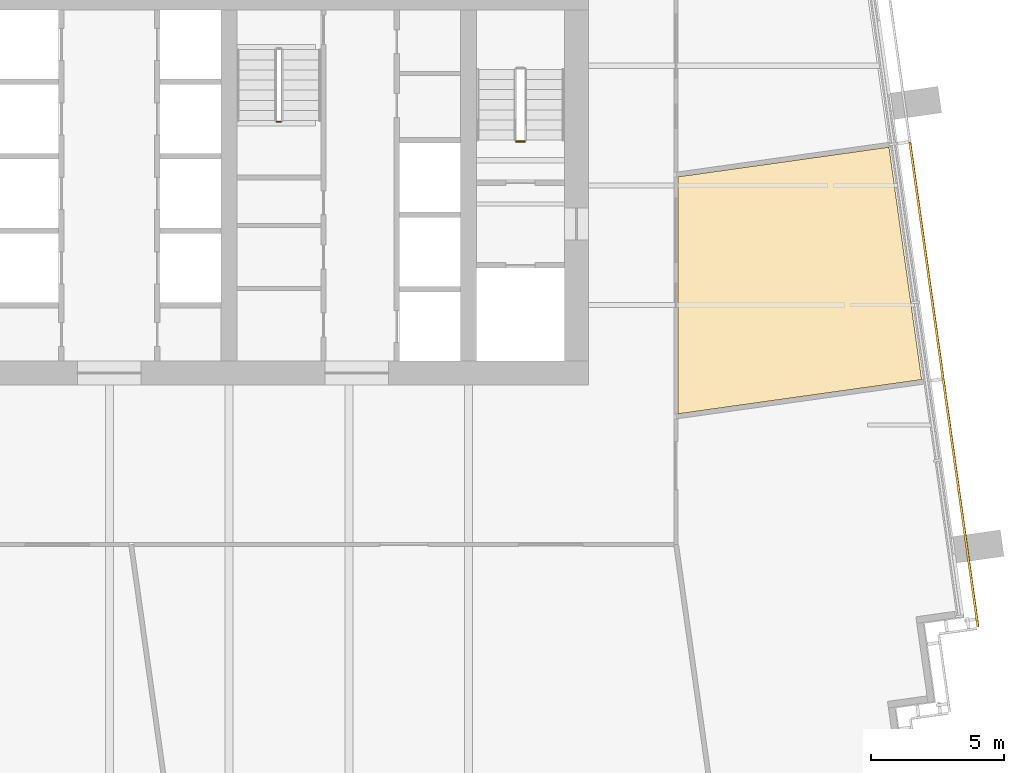
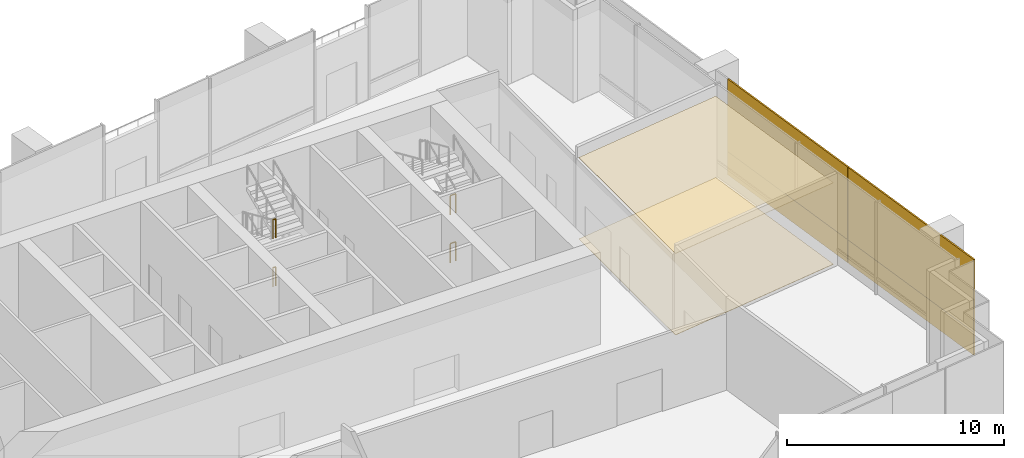
# One storey, part 13 of 18: 6 coverings, 4 railings.
"""IFC4 building model written with IfcOpenShell, lengths in metres."""

from ifc_helpers import new_model, si_unit, direction, frame, origin, origin_2d, place, context, subcontext, project, spatial, polyline, rectangle, outline, extrude, material, layer, layer_set, type_object, element, save


model = new_model("IFC4")

# Units and contexts
model_context = context("Model", 3, precision=1e-05, world=origin(), true_north=direction((0.0, 1.0)))
body_context = subcontext(model_context, "Body", "Model", "MODEL_VIEW")
ifc_project = project(units=[si_unit("LENGTHUNIT", "METRE"), si_unit("AREAUNIT", "SQUARE_METRE"), si_unit("VOLUMEUNIT", "CUBIC_METRE"), si_unit("PLANEANGLEUNIT", "RADIAN"), si_unit("MASSUNIT", "GRAM", prefix="KILO")], contexts=[model_context])

# Site, building, storey
site_placement = place(None, origin())
site = spatial("IfcSite", under=ifc_project, at=site_placement, CompositionType="ELEMENT")
building_placement = place(site_placement, origin())
building = spatial("IfcBuilding", under=site, at=building_placement, Name="Rattan Terrace Tower", CompositionType="ELEMENT")
storey_placement = place(building_placement, frame((0.0, 0.0, 208.10009765625)))
storey = spatial("IfcBuildingStorey", under=building, at=storey_placement, Name="L47", CompositionType="ELEMENT", Elevation=208.10009765625)

# Railings
ifc_material_1 = material(Name="Powder-coated steel guard", Category="steel")
railing_type = type_object("IfcRailingType", Name="Core stair guard", PredefinedType="GUARDRAIL", material=ifc_material_1)
for number, where, name in (
    (1, (15.60009765625, 1.64990234375, 2.699951171875), "L47 S2 stair guard 4"),
    (2, (15.60009765625, 1.64990234375, 0.0), "L47 S2 stair guard 8"),
):
    element("IfcRailing", number, at=place(storey_placement, frame(where)), inside=storey, type_object=railing_type, Name=name, PredefinedType="GUARDRAIL", context=body_context, shape_type="SweptSolid", body=[
        extrude(rectangle(XDim=0.048095703125, YDim=0.048095703125, at=origin_2d()), frame((0.0, 0.0, 1.076171875), z_axis=(-1.0, 0.0, 0.0), x_axis=(0.0, -1.0, 0.0)), (0.0, 0.0, 1.0), 0.300048828125),
        extrude(rectangle(XDim=0.0419921875, YDim=0.0419921875, at=origin_2d()), origin(), (0.0, 0.0, 1.0), 1.052001953125),
        extrude(rectangle(XDim=0.0419921875, YDim=0.0419921875, at=origin_2d()), frame((-0.300048828125, 0.0, 0.0)), (0.0, 0.0, 1.0), 1.052001953125),
    ])
for number, where, name in (
    (3, (6.300048828125, 2.389892578125, 1.349853515625), "L47 S3 stair guard 2"),
    (4, (6.300048828125, 2.389892578125, 4.0498046875), "L47 S3 stair guard 6"),
):
    element("IfcRailing", number, at=place(storey_placement, frame(where)), inside=storey, type_object=railing_type, Name=name, PredefinedType="GUARDRAIL", context=body_context, shape_type="SweptSolid", body=[
        extrude(rectangle(XDim=0.048095703125, YDim=0.048095703125, at=origin_2d()), frame((0.0, 0.0, 1.076171875), z_axis=(1.0, 0.0, 0.0), x_axis=(0.0, 1.0, 0.0)), (0.0, 0.0, 1.0), 0.14990234375),
        extrude(rectangle(XDim=0.0419921875, YDim=0.0419921875, at=origin_2d()), origin(), (0.0, 0.0, 1.0), 1.052001953125),
        extrude(rectangle(XDim=0.0419921875, YDim=0.0419921875, at=origin_2d()), frame((0.14990234375, 0.0, 0.0)), (0.0, 0.0, 1.0), 1.052001953125),
    ])

# Coverings
ifc_material_2 = material(Name="Solid terracotta", Category="masonry")
ifc_layer_1 = layer(ifc_material_2, 0.090087890625)
ifc_layer_set_1 = layer_set([ifc_layer_1], Name="Facade Terracotta Band Panel HZ")
covering_type_1 = type_object("IfcCoveringType", Name="Facade Terracotta Band Panel HZ", PredefinedType="CLADDING", material=ifc_layer_set_1)
covering_1_placement = place(storey_placement, frame((31.9892578125, -11.93701171875, -0.18994140625), z_axis=(0.0, 0.0, 1.0), x_axis=(-0.139186165309, 0.990266232579, 0.0)))
element("IfcCovering", 5, at=covering_1_placement, inside=storey, type_object=covering_type_1, Name="OUTER SKIN panel L47-6A", PredefinedType="CLADDING", context=body_context, shape_type="SweptSolid", body=[
    extrude(rectangle(XDim=9.39990234375, YDim=0.090087890625, at=origin_2d()), origin(), (0.0, 0.0, 1.0), 1.300048828125),
])
covering_2_placement = place(storey_placement, frame((30.70751953125, -2.816650390625, -0.18994140625), z_axis=(0.0, 0.0, 1.0), x_axis=(-0.139186165309, 0.990266232579, 0.0)))
element("IfcCovering", 6, at=covering_2_placement, inside=storey, type_object=covering_type_1, Name="OUTER SKIN panel L47-7A", PredefinedType="CLADDING", context=body_context, shape_type="SweptSolid", body=[
    extrude(rectangle(XDim=8.97998046875, YDim=0.090087890625, at=origin_2d()), origin(), (0.0, 0.0, 1.0), 1.300048828125),
])
ifc_material_3 = material(Name="Perforated terracotta", Category="masonry")
ifc_layer_2 = layer(ifc_material_3, 0.080078125)
ifc_layer_set_2 = layer_set([ifc_layer_2], Name="Facade Terracotta Screen Panel HZ")
covering_type_2 = type_object("IfcCoveringType", Name="Facade Terracotta Screen Panel HZ", PredefinedType="CLADDING", material=ifc_layer_set_2)
covering_3_placement = place(storey_placement, frame((31.984375, -11.937744140625, 1.10986328125), z_axis=(0.0, 0.0, 1.0), x_axis=(-0.139186165309, 0.990266232579, 0.0)))
element("IfcCovering", 7, at=covering_3_placement, inside=storey, type_object=covering_type_2, Name="OUTER SKIN panel L47-6B", PredefinedType="CLADDING", context=body_context, shape_type="SweptSolid", body=[
    extrude(rectangle(XDim=9.39990234375, YDim=0.080078125, at=origin_2d()), origin(), (0.0, 0.0, 1.0), 4.080078125),
])
covering_4_placement = place(storey_placement, frame((30.702392578125, -2.8173828125, 1.10986328125), z_axis=(0.0, 0.0, 1.0), x_axis=(-0.139186165309, 0.990266232579, 0.0)))
element("IfcCovering", 8, at=covering_4_placement, inside=storey, type_object=covering_type_2, Name="OUTER SKIN panel L47-7B", PredefinedType="CLADDING", context=body_context, shape_type="SweptSolid", body=[
    extrude(rectangle(XDim=8.97998046875, YDim=0.080078125, at=origin_2d()), origin(), (0.0, 0.0, 1.0), 4.080078125),
])
ifc_material_4 = material(Name="Polished limestone", Category="masonry")
ifc_layer_3 = layer(ifc_material_4, 0.02001953125)
ifc_layer_set_3 = layer_set([ifc_layer_3], Name="Lobby Floor Finish Stone 20")
covering_type_3 = type_object("IfcCoveringType", Name="Lobby Floor Finish Stone 20", PredefinedType="FLOORING", material=ifc_layer_set_3)
covering_5_placement = place(storey_placement, origin())
element("IfcCovering", 9, at=covering_5_placement, inside=storey, type_object=covering_type_3, Name="Floor finish L47-106", PredefinedType="FLOORING", context=body_context, shape_type="SweptSolid", body=[
    extrude(outline(polyline([(21.375, -8.5810546875), (30.52392578125, -7.2958984375), (29.297119140625, 1.43798828125), (21.375, 0.323974609375), (21.375, -8.5810546875)])), origin(), (0.0, 0.0, 1.0), 0.02001953125),
])
ifc_material_5 = material(Name="Gypsum board, painted")
ifc_layer_4 = layer(ifc_material_5, 0.02490234375)
ifc_layer_set_4 = layer_set([ifc_layer_4], Name="Suspended Ceiling Gypsum 25")
covering_type_4 = type_object("IfcCoveringType", Name="Suspended Ceiling Gypsum 25", PredefinedType="CEILING", material=ifc_layer_set_4)
covering_6_placement = place(storey_placement, frame((0.0, 0.0, 4.574951171875)))
element("IfcCovering", 10, at=covering_6_placement, inside=storey, type_object=covering_type_4, Name="Ceiling L47-106", PredefinedType="CEILING", context=body_context, shape_type="SweptSolid", body=[
    extrude(outline(polyline([(21.375, -8.5810546875), (30.52392578125, -7.2958984375), (29.297119140625, 1.43798828125), (21.375, 0.323974609375), (21.375, -8.5810546875)])), origin(), (0.0, 0.0, 1.0), 0.02490234375),
])

save(model, "model.ifc")
